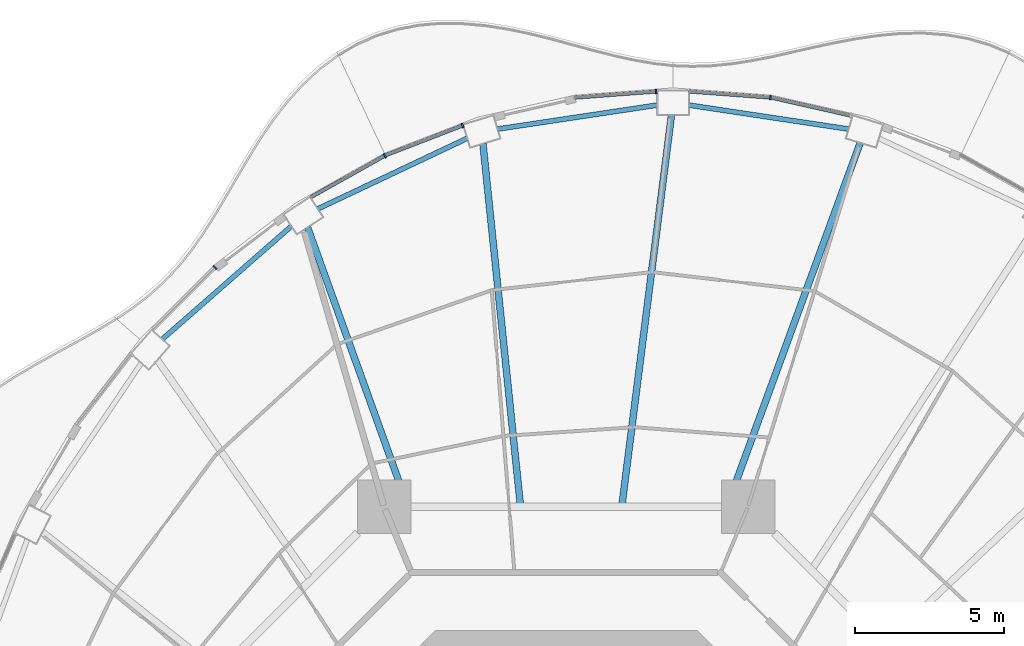
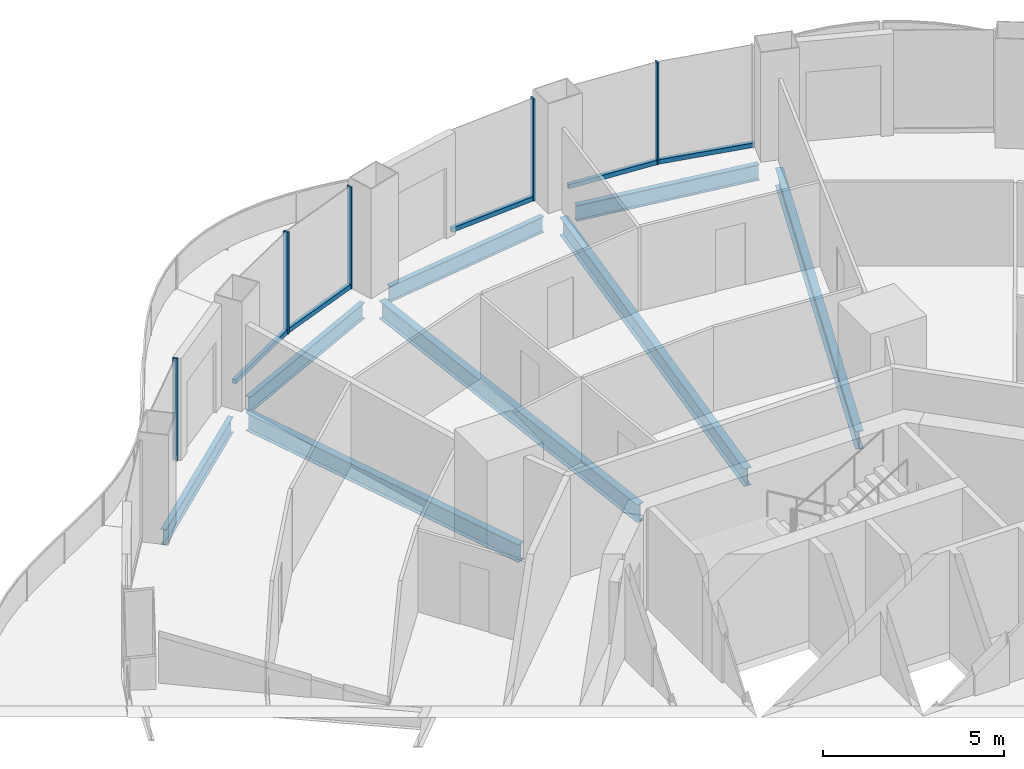
# One storey, part 7 of 19: 10 members, 8 beams, 6 elements without a shape of their own.
"""IFC4 building model written with IfcOpenShell, lengths in metres."""

from ifc_helpers import new_model, si_unit, direction, frame, origin, origin_2d, place, context, subcontext, project, spatial, rectangle, i_section, extrude, material, layer, layer_set, material_profile, profile_set, type_object, element, aggregate, save


model = new_model("IFC4")

# Units and contexts
model_context = context("Model", 3, precision=1e-05, world=origin(), true_north=direction((0.0, 1.0)))
body_context = subcontext(model_context, "Body", "Model", "MODEL_VIEW")
ifc_project = project(units=[si_unit("LENGTHUNIT", "METRE"), si_unit("AREAUNIT", "SQUARE_METRE"), si_unit("VOLUMEUNIT", "CUBIC_METRE"), si_unit("PLANEANGLEUNIT", "RADIAN"), si_unit("MASSUNIT", "GRAM", prefix="KILO")], contexts=[model_context])

# Site, building, storey
site_placement = place(None, origin())
site = spatial("IfcSite", under=ifc_project, at=site_placement, CompositionType="ELEMENT")
building_placement = place(site_placement, origin())
building = spatial("IfcBuilding", under=site, at=building_placement, Name="Nagisa Residences", CompositionType="ELEMENT")
storey_placement = place(building_placement, frame((0.0, 0.0, 199.199951171875)))
storey = spatial("IfcBuildingStorey", under=building, at=storey_placement, Name="L50", CompositionType="ELEMENT", Elevation=199.199951171875)

# Curtain wall, member
ifc_material_1 = material(Name="Concrete-coloured aluminium curtain wall system", Category="concrete")
ifc_layer = layer(ifc_material_1, 0.159912109375)
ifc_layer_set = layer_set([ifc_layer], Name="CW1 CURTAIN WALL")
curtain_wall_type = type_object("IfcCurtainWallType", Name="CW1 CURTAIN WALL", PredefinedType="NOTDEFINED", material=ifc_layer_set)
curtain_wall_1_placement = place(storey_placement, origin())
curtain_wall_1 = element("IfcCurtainWall", 1, at=curtain_wall_1_placement, inside=storey, type_object=curtain_wall_type, Name="cw:CW1:L50:11", PredefinedType="NOTDEFINED")
ifc_material_2 = material(Name="Concrete-coloured aluminium", Category="concrete")
ifc_material_profile_1 = material_profile(ifc_material_2, rectangle(XDim=0.159912109375, YDim=0.06005859375, at=origin_2d()), Name="CW1 MULLION 160x60")
ifc_profile_set_1 = profile_set([ifc_material_profile_1], Name="Concrete-coloured aluminium")
member_type_1 = type_object("IfcMemberType", Name="CW1 MULLION 160x60", PredefinedType="MULLION", material=ifc_profile_set_1)
member_1_placement = place(storey_placement, frame((6.876220703125, 28.550537109375, 0.0), z_axis=(0.0, 0.0, 1.0), x_axis=(-0.074377355493, -0.997230168512, 0.0)))
member_1 = element("IfcMember", 2, at=member_1_placement, type_object=member_type_1, Name="CW1 mullion", PredefinedType="MULLION", context=body_context, shape_type="SweptSolid", body=[
    extrude(rectangle(XDim=0.159912109375, YDim=0.06005859375, at=origin_2d()), origin(), (0.0, 0.0, 1.0), 3.43994140625),
])

curtain_wall_2_placement = place(storey_placement, origin())
curtain_wall_2 = element("IfcCurtainWall", 3, at=curtain_wall_2_placement, inside=storey, type_object=curtain_wall_type, Name="cw:CW1:L50:12", PredefinedType="NOTDEFINED")
member_2_placement = place(storey_placement, frame((3.027587890625, 28.752197265625, 0.0), z_axis=(0.0, 0.0, 1.0), x_axis=(0.074377355493, -0.997230168512, 0.0)))
member_2 = element("IfcMember", 4, at=member_2_placement, type_object=member_type_1, Name="CW1 mullion", PredefinedType="MULLION", context=body_context, shape_type="SweptSolid", body=[
    extrude(rectangle(XDim=0.159912109375, YDim=0.06005859375, at=origin_2d()), origin(), (0.0, 0.0, 1.0), 3.43994140625),
])

curtain_wall_3_placement = place(storey_placement, origin())
curtain_wall_3 = element("IfcCurtainWall", 5, at=curtain_wall_3_placement, inside=storey, type_object=curtain_wall_type, Name="cw:CW1:L50:14", PredefinedType="NOTDEFINED")
member_3_placement = place(storey_placement, frame((-3.479736328125, 27.607421875, 0.0), z_axis=(0.0, 0.0, 1.0), x_axis=(0.360327770268, -0.932825759707, 0.0)))
member_3 = element("IfcMember", 6, at=member_3_placement, type_object=member_type_1, Name="CW1 mullion", PredefinedType="MULLION", context=body_context, shape_type="SweptSolid", body=[
    extrude(rectangle(XDim=0.159912109375, YDim=0.06005859375, at=origin_2d()), origin(), (0.0, 0.0, 1.0), 3.43994140625),
])

curtain_wall_4_placement = place(storey_placement, origin())
curtain_wall_4 = element("IfcCurtainWall", 7, at=curtain_wall_4_placement, inside=storey, type_object=curtain_wall_type, Name="cw:CW1:L50:15", PredefinedType="NOTDEFINED")
member_4_placement = place(storey_placement, frame((-6.09765625, 26.592529296875, 0.0), z_axis=(0.0, 0.0, 1.0), x_axis=(0.489376918501, -0.872072377523, 0.0)))
member_4 = element("IfcMember", 8, at=member_4_placement, type_object=member_type_1, Name="CW1 mullion", PredefinedType="MULLION", context=body_context, shape_type="SweptSolid", body=[
    extrude(rectangle(XDim=0.159912109375, YDim=0.06005859375, at=origin_2d()), origin(), (0.0, 0.0, 1.0), 3.43994140625),
])

curtain_wall_5_placement = place(storey_placement, origin())
curtain_wall_5 = element("IfcCurtainWall", 9, at=curtain_wall_5_placement, inside=storey, type_object=curtain_wall_type, Name="cw:CW1:L50:17", PredefinedType="NOTDEFINED")
member_5_placement = place(storey_placement, frame((-11.81201171875, 22.830322265625, 0.0), z_axis=(0.0, 0.0, 1.0), x_axis=(0.706376885714, -0.707835924016, 0.0)))
member_5 = element("IfcMember", 10, at=member_5_placement, type_object=member_type_1, Name="CW1 mullion", PredefinedType="MULLION", context=body_context, shape_type="SweptSolid", body=[
    extrude(rectangle(XDim=0.159912109375, YDim=0.06005859375, at=origin_2d()), origin(), (0.0, 0.0, 1.0), 3.43994140625),
])
aggregate(curtain_wall_5, [member_5])

curtain_wall_6_placement = place(storey_placement, origin())
curtain_wall_6 = element("IfcCurtainWall", 11, at=curtain_wall_6_placement, inside=storey, type_object=curtain_wall_type, Name="cw:CW1:L50:10", PredefinedType="NOTDEFINED")
ifc_material_3 = material(Name="Concrete-coloured aluminium", Category="concrete")
ifc_material_profile_2 = material_profile(ifc_material_3, rectangle(XDim=0.1201171875, YDim=0.14990234375, at=origin_2d()), Name="CW1 TRANSOM 120x150")
ifc_profile_set_2 = profile_set([ifc_material_profile_2], Name="Concrete-coloured aluminium")
member_type_2 = type_object("IfcMemberType", Name="CW1 TRANSOM 120x150", PredefinedType="USERDEFINED", material=ifc_profile_set_2)
member_6_placement = place(storey_placement, frame((9.613525390625, 27.9345703125, 0.074951171875), z_axis=(-0.975324329911, 0.220776926974, 0.0), x_axis=(-0.220776926974, -0.975324329911, 0.0)))
member_6 = element("IfcMember", 12, at=member_6_placement, type_object=member_type_2, Name="CW1 transom", ObjectType="TRANSOM", PredefinedType="USERDEFINED", context=body_context, shape_type="SweptSolid", body=[
    extrude(rectangle(XDim=0.1201171875, YDim=0.14990234375, at=origin_2d()), origin(), (0.0, 0.0, 1.0), 2.787841796875),
])
aggregate(curtain_wall_6, [member_6])

# Member
member_7_placement = place(storey_placement, frame((6.90625, 28.548095703125, 0.074951171875), z_axis=(-0.997225528735, 0.074439538143, 0.0), x_axis=(-0.074439538143, -0.997225528735, 0.0)))
member_7 = element("IfcMember", 13, at=member_7_placement, type_object=member_type_2, Name="CW1 transom", ObjectType="TRANSOM", PredefinedType="USERDEFINED", context=body_context, shape_type="SweptSolid", body=[
    extrude(rectangle(XDim=0.1201171875, YDim=0.14990234375, at=origin_2d()), origin(), (0.0, 0.0, 1.0), 2.771240234375),
])

aggregate(curtain_wall_1, [member_1, member_7])

member_8_placement = place(storey_placement, frame((3.057373046875, 28.75439453125, 0.074951171875), z_axis=(-0.99722504052, -0.074446078208, 0.0), x_axis=(0.074446078208, -0.99722504052, 0.0)))
member_8 = element("IfcMember", 14, at=member_8_placement, type_object=member_type_2, Name="CW1 transom", ObjectType="TRANSOM", PredefinedType="USERDEFINED", context=body_context, shape_type="SweptSolid", body=[
    extrude(rectangle(XDim=0.1201171875, YDim=0.14990234375, at=origin_2d()), origin(), (0.0, 0.0, 1.0), 2.77099609375),
])

aggregate(curtain_wall_2, [member_2, member_8])

member_9_placement = place(storey_placement, frame((-3.45166015625, 27.618408203125, 0.074951171875), z_axis=(-0.932806734513, -0.360377019311, 0.0), x_axis=(0.360377019311, -0.932806734513, 0.0)))
member_9 = element("IfcMember", 15, at=member_9_placement, type_object=member_type_2, Name="CW1 transom", ObjectType="TRANSOM", PredefinedType="USERDEFINED", context=body_context, shape_type="SweptSolid", body=[
    extrude(rectangle(XDim=0.1201171875, YDim=0.14990234375, at=origin_2d()), origin(), (0.0, 0.0, 1.0), 2.819580078125),
])

aggregate(curtain_wall_3, [member_3, member_9])

member_10_placement = place(storey_placement, frame((-6.071533203125, 26.607177734375, 0.074951171875), z_axis=(-0.872057843239, -0.489402817774, 0.0), x_axis=(0.489402817774, -0.872057843239, 0.0)))
member_10 = element("IfcMember", 16, at=member_10_placement, type_object=member_type_2, Name="CW1 transom", ObjectType="TRANSOM", PredefinedType="USERDEFINED", context=body_context, shape_type="SweptSolid", body=[
    extrude(rectangle(XDim=0.1201171875, YDim=0.14990234375, at=origin_2d()), origin(), (0.0, 0.0, 1.0), 2.863525390625),
])

aggregate(curtain_wall_4, [member_4, member_10])

# Beams
ifc_material_4 = material(Name="Steel ASTM A572 Gr 50", Category="steel")
ifc_material_profile_3 = material_profile(ifc_material_4, i_section(OverallWidth=0.166015625, OverallDepth=0.534912109375, WebThickness=0.01025390625, FlangeThickness=0.0166015625, at=origin_2d()), Name="W530x85")
ifc_profile_set_3 = profile_set([ifc_material_profile_3], Name="Steel ASTM A572 Gr 50")
beam_type_1 = type_object("IfcBeamType", Name="Perimeter ring beam W530x85", PredefinedType="BEAM", material=ifc_profile_set_3)
for number, where, z_axis, x_axis, name in (
    (17, (9.508056640625, 27.48779296875, -0.52734375), (-0.988911312658, 0.148507291732, 0.0), (-0.148507291732, -0.988911312658, 0.0), "beam:L50:pb06"),
    (18, (3.06982421875, 28.29541015625, -0.52734375), (-0.988911312658, -0.148507291732, 0.0), (0.148507291732, -0.988911312658, 0.0), "beam:L50:pb07"),
):
    element("IfcBeam", number, at=place(storey_placement, frame(where, z_axis=z_axis, x_axis=x_axis)), inside=storey, type_object=beam_type_1, Name=name, PredefinedType="BEAM", context=body_context, shape_type="SweptSolid", body=[
        extrude(i_section(OverallWidth=0.166015625, OverallDepth=0.534912109375, WebThickness=0.01025390625, FlangeThickness=0.0166015625, at=origin_2d()), origin(), (0.0, 0.0, 1.0), 5.438232421875),
    ])
beam_1_placement = place(storey_placement, frame((-3.32275390625, 27.17919921875, -0.52734375), z_axis=(-0.904157325884, -0.427199637232, 0.0), x_axis=(0.427199637232, -0.904157325884, 0.0)))
element("IfcBeam", 19, at=beam_1_placement, inside=storey, type_object=beam_type_1, Name="beam:L50:pb08", PredefinedType="BEAM", context=body_context, shape_type="SweptSolid", body=[
    extrude(i_section(OverallWidth=0.166015625, OverallDepth=0.534912109375, WebThickness=0.01025390625, FlangeThickness=0.0166015625, at=origin_2d()), origin(), (0.0, 0.0, 1.0), 5.56396484375),
])
beam_2_placement = place(storey_placement, frame((-9.240234375, 24.220947265625, -0.52734375), z_axis=(-0.752461486776, -0.658636250838, 0.0), x_axis=(0.658636250838, -0.752461486776, 0.0)))
element("IfcBeam", 20, at=beam_2_placement, inside=storey, type_object=beam_type_1, Name="beam:L50:pb09", PredefinedType="BEAM", context=body_context, shape_type="SweptSolid", body=[
    extrude(i_section(OverallWidth=0.166015625, OverallDepth=0.534912109375, WebThickness=0.01025390625, FlangeThickness=0.0166015625, at=origin_2d()), origin(), (0.0, 0.0, 1.0), 5.776611328125),
])
ifc_material_5 = material(Name="Steel ASTM A572 Gr 50", Category="steel")
ifc_material_profile_4 = material_profile(ifc_material_5, i_section(OverallWidth=0.22802734375, OverallDepth=0.60302734375, WebThickness=0.010498046875, FlangeThickness=0.014892578125, at=origin_2d()), Name="W610x101")
ifc_profile_set_4 = profile_set([ifc_material_profile_4], Name="Steel ASTM A572 Gr 50")
beam_type_2 = type_object("IfcBeamType", Name="Radial beam W610x101", PredefinedType="BEAM", material=ifc_profile_set_4)
beam_3_placement = place(storey_placement, frame((9.898681640625, 27.02734375, -0.5615234375), z_axis=(-0.343903309659, -0.939005065804, 0.0), x_axis=(0.939005065804, -0.343903309659, 0.0)))
element("IfcBeam", 21, at=beam_3_placement, inside=storey, type_object=beam_type_2, Name="beam:L50:rb06", PredefinedType="BEAM", context=body_context, shape_type="SweptSolid", body=[
    extrude(i_section(OverallWidth=0.22802734375, OverallDepth=0.60302734375, WebThickness=0.010498046875, FlangeThickness=0.014892578125, at=origin_2d()), origin(), (0.0, 0.0, 1.0), 12.92529296875),
])
beam_4_placement = place(storey_placement, frame((3.548583984375, 27.9697265625, -0.5615234375), z_axis=(-0.125871302495, -0.992046579153, 0.0), x_axis=(0.992046579153, -0.125871302495, 0.0)))
element("IfcBeam", 22, at=beam_4_placement, inside=storey, type_object=beam_type_2, Name="beam:L50:rb07", PredefinedType="BEAM", context=body_context, shape_type="SweptSolid", body=[
    extrude(i_section(OverallWidth=0.22802734375, OverallDepth=0.60302734375, WebThickness=0.010498046875, FlangeThickness=0.014892578125, at=origin_2d()), origin(), (0.0, 0.0, 1.0), 13.185546875),
])
beam_5_placement = place(storey_placement, frame((-2.795654296875, 26.997314453125, -0.5615234375), z_axis=(0.103007948723, -0.994680532885, 0.0), x_axis=(0.994680532885, 0.103007948723, 0.0)))
element("IfcBeam", 23, at=beam_5_placement, inside=storey, type_object=beam_type_2, Name="beam:L50:rb08", PredefinedType="BEAM", context=body_context, shape_type="SweptSolid", body=[
    extrude(i_section(OverallWidth=0.22802734375, OverallDepth=0.60302734375, WebThickness=0.010498046875, FlangeThickness=0.014892578125, at=origin_2d()), origin(), (0.0, 0.0, 1.0), 12.1728515625),
])
beam_6_placement = place(storey_placement, frame((-8.6962890625, 24.180908203125, -0.5615234375), z_axis=(0.338417364879, -0.940996114311, 0.0), x_axis=(0.940996114311, 0.338417364879, 0.0)))
element("IfcBeam", 24, at=beam_6_placement, inside=storey, type_object=beam_type_2, Name="beam:L50:rb09", PredefinedType="BEAM", context=body_context, shape_type="SweptSolid", body=[
    extrude(i_section(OverallWidth=0.22802734375, OverallDepth=0.60302734375, WebThickness=0.010498046875, FlangeThickness=0.014892578125, at=origin_2d()), origin(), (0.0, 0.0, 1.0), 9.873291015625),
])

save(model, "model.ifc")
